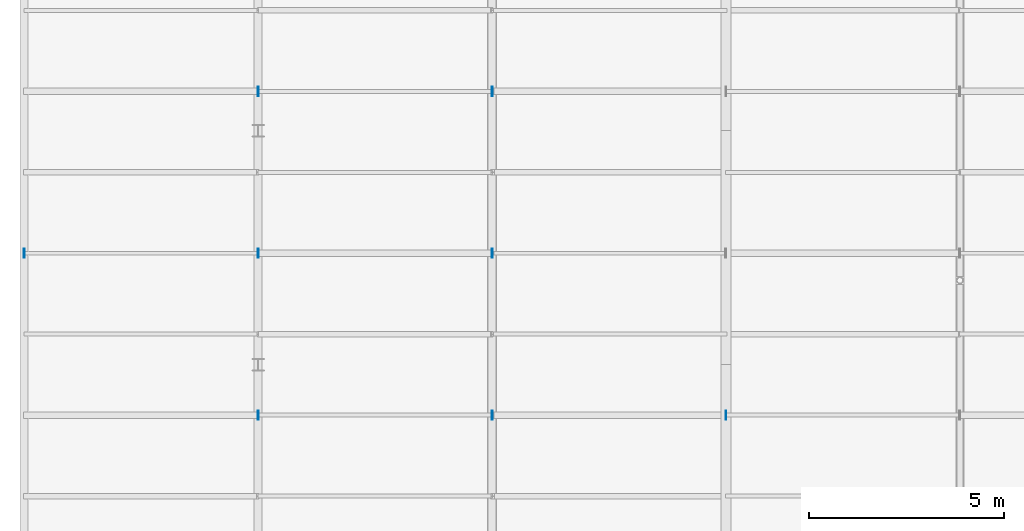
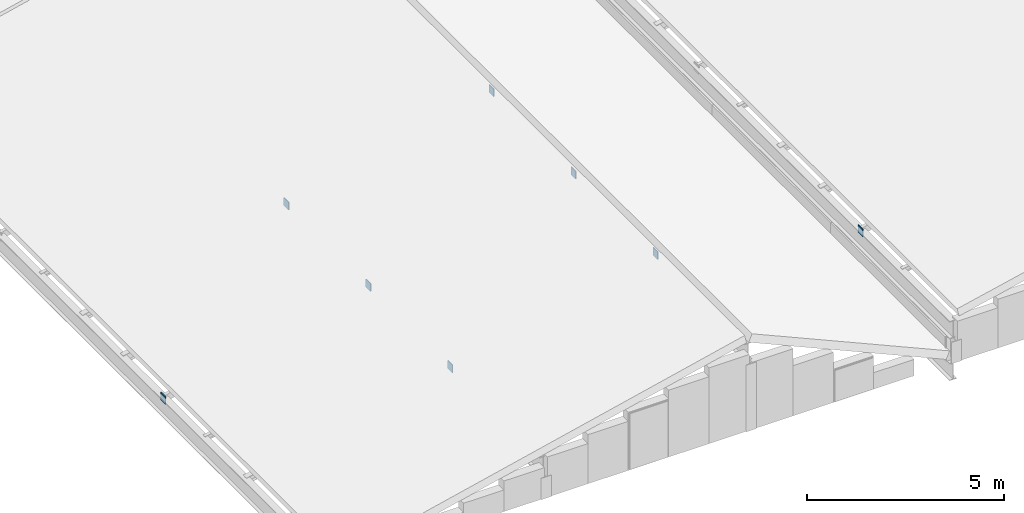
# One storey, part 41 of 74: 8 plates.
"""IFC4 building model written with IfcOpenShell, lengths in metres."""

from ifc_helpers import new_model, si_unit, direction, frame, origin, origin_2d, place, context, subcontext, project, spatial, rectangle, extrude, material, layer, layer_set, type_object, element, save


model = new_model("IFC4")

# Units and contexts
model_context = context("Model", 3, precision=1e-05, world=origin(), true_north=direction((0.0, 1.0)))
body_context = subcontext(model_context, "Body", "Model", "MODEL_VIEW")
ifc_project = project(units=[si_unit("LENGTHUNIT", "METRE"), si_unit("AREAUNIT", "SQUARE_METRE"), si_unit("VOLUMEUNIT", "CUBIC_METRE"), si_unit("PLANEANGLEUNIT", "RADIAN"), si_unit("MASSUNIT", "GRAM", prefix="KILO")], contexts=[model_context])

# Site, building, storey
site_placement = place(None, origin())
site = spatial("IfcSite", under=ifc_project, at=site_placement, CompositionType="ELEMENT")
building_placement = place(site_placement, origin())
building = spatial("IfcBuilding", under=site, at=building_placement, Name="Siltcreek Boulevard Central Fire Station", CompositionType="ELEMENT")
storey_placement = place(building_placement, frame((0.0, 0.0, 25.199951171875)))
storey = spatial("IfcBuildingStorey", under=building, at=storey_placement, Name="RF", CompositionType="ELEMENT", Elevation=25.199951171875)

# Plates
ifc_material = material(Name="Structural steel ASTM A572 Gr50", Category="steel")
ifc_layer = layer(ifc_material, 0.02490234375, Name="Structural steel ASTM A572 Gr50")
ifc_layer_set = layer_set([ifc_layer], Name="Structural steel ASTM A572 Gr50")
plate_type = type_object("IfcPlateType", Name="PL_CAP25", PredefinedType="USERDEFINED", material=ifc_layer_set)
for number, where, z_axis, x_axis, name in (
    (1, (1.7998046875, 26.85546875, -15.59326171875), (0.0, 0.0, 1.0), (1.0, 0.0, 0.0), "Sloped roof purlin PR-0187 sealed end cap 1"),
    (2, (7.80029296875, 26.85546875, -14.193359375), (0.0, 0.0, 1.0), (1.0, 0.0, 0.0), "Sloped roof purlin PR-0187 sealed end cap 2"),
    (3, (7.7998046875, 22.70263671875, -14.193359375), (0.0, 0.0, 1.0), (1.0, 0.0, 0.0), "Sloped roof purlin PR-0195 sealed end cap 1"),
    (4, (13.80029296875, 22.70263671875, -12.79345703125), (0.0, 0.0, 1.0), (1.0, 0.0, 0.0), "Sloped roof purlin PR-0195 sealed end cap 2"),
    (5, (7.7998046875, 31.00830078125, -14.193359375), (0.0, 0.0, 1.0), (1.0, 0.0, 0.0), "Sloped roof purlin PR-0199 sealed end cap 1"),
    (6, (13.80029296875, 31.00830078125, -12.79345703125), (0.0, 0.0, 1.0), (1.0, 0.0, 0.0), "Sloped roof purlin PR-0199 sealed end cap 2"),
    (7, (13.80029296875, 26.85546875, -12.81689453125), (0.0, 0.0, 1.0), (1.0, 0.0, 0.0), "Sloped roof purlin PR-0207 sealed end cap 1"),
    (8, (19.7998046875, 22.70263671875, -14.19287109375), (0.0, 0.0, 1.0), (1.0, 0.0, 0.0), "Sloped roof purlin PR-0227 sealed end cap 1"),
):
    element("IfcPlate", number, at=place(storey_placement, frame(where, z_axis=z_axis, x_axis=x_axis)), inside=storey, type_object=plate_type, Name=name, ObjectType="END CAP", PredefinedType="USERDEFINED", context=body_context, shape_type="SweptSolid", body=[
        extrude(rectangle(XDim=0.02490234375, YDim=0.239990234375, at=origin_2d()), origin(), (0.0, 0.0, 1.0), 0.239990234375),
    ])

save(model, "model.ifc")
